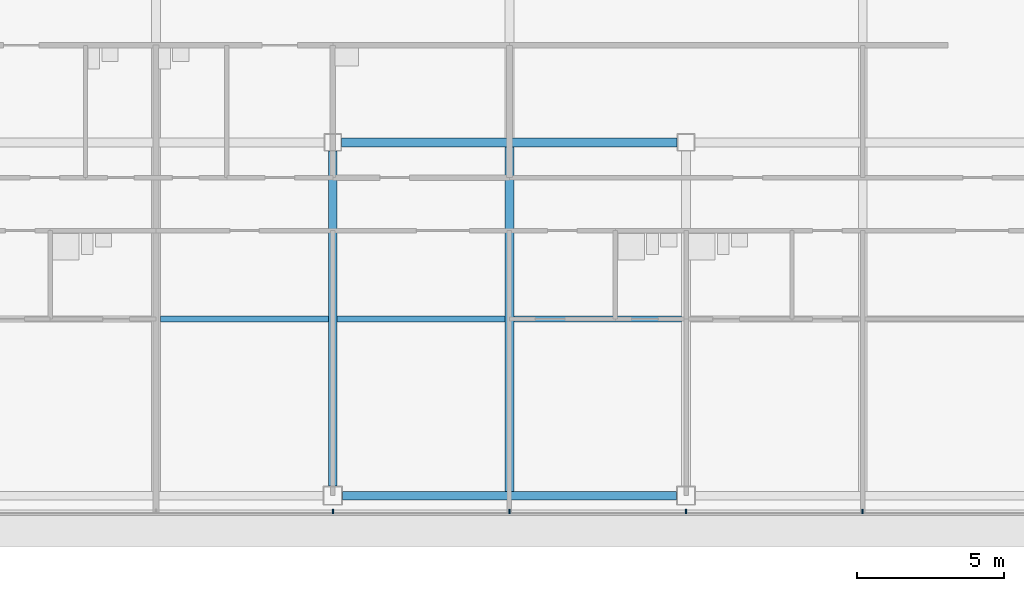
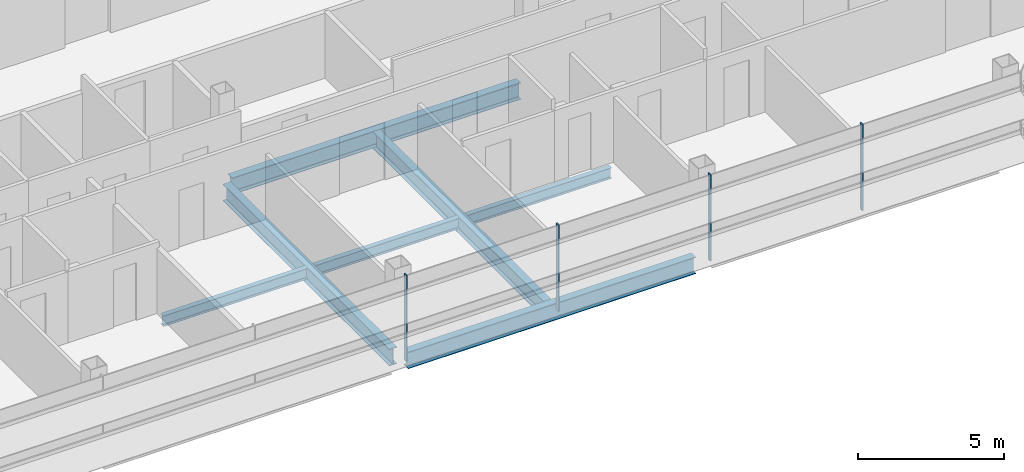
# One storey, part 8 of 27: 7 beams, 4 members, 1 element without a shape of its own.
"""IFC4 building model written with IfcOpenShell, lengths in metres."""

from ifc_helpers import new_model, si_unit, direction, frame, origin, origin_2d, place, context, subcontext, project, spatial, rectangle, i_section, extrude, material, material_profile, profile_set, type_object, element, aggregate, save


model = new_model("IFC4")

# Units and contexts
model_context = context("Model", 3, precision=1e-05, world=origin(), true_north=direction((0.0, 1.0)))
body_context = subcontext(model_context, "Body", "Model", "MODEL_VIEW")
ifc_project = project(units=[si_unit("LENGTHUNIT", "METRE"), si_unit("AREAUNIT", "SQUARE_METRE"), si_unit("VOLUMEUNIT", "CUBIC_METRE"), si_unit("PLANEANGLEUNIT", "RADIAN"), si_unit("MASSUNIT", "GRAM", prefix="KILO")], contexts=[model_context])

# Site, building, storey
site_placement = place(None, origin())
site = spatial("IfcSite", under=ifc_project, at=site_placement, CompositionType="ELEMENT")
building_placement = place(site_placement, origin())
building = spatial("IfcBuilding", under=site, at=building_placement, Name="Sorahane Residences", CompositionType="ELEMENT")
storey_placement = place(building_placement, frame((0.0, 0.0, 202.800048828125)))
storey = spatial("IfcBuildingStorey", under=building, at=storey_placement, Name="L47", CompositionType="ELEMENT", Elevation=202.800048828125)

# Curtain wall, members
ifc_material_1 = material(Name="Dark low-e glass and black anodised aluminium", Category="aluminium")
curtain_wall_type = type_object("IfcCurtainWallType", Name="Curtain wall CW-1 Typical unitised wall", PredefinedType="NOTDEFINED", material=ifc_material_1)
curtain_wall_placement = place(storey_placement, origin())
curtain_wall = element("IfcCurtainWall", 1, at=curtain_wall_placement, inside=storey, type_object=curtain_wall_type, Name="CW-1 curtain wall L47 S1", PredefinedType="NOTDEFINED")
ifc_material_2 = material(Name="Black anodised aluminium", Category="aluminium")
ifc_material_profile_1 = material_profile(ifc_material_2, rectangle(XDim=0.159912109375, YDim=0.050048828125, at=origin_2d()), Name="Curtain wall mullion CW-1 black anodised aluminium 50x160")
ifc_profile_set_1 = profile_set([ifc_material_profile_1], Name="Black anodised aluminium")
member_type = type_object("IfcMemberType", Name="Curtain wall mullion CW-1 black anodised aluminium 50x160", PredefinedType="MULLION", material=ifc_profile_set_1)
member_1_placement = place(storey_placement, frame((24.0, -0.5400390625, -0.179931640625), z_axis=(0.0, 0.0, 1.0), x_axis=(0.0, -1.0, 0.0)))
member_1 = element("IfcMember", 2, at=member_1_placement, type_object=member_type, Name="CW-1 mullion L47 S1.6", PredefinedType="MULLION", context=body_context, shape_type="SweptSolid", body=[
    extrude(rectangle(XDim=0.159912109375, YDim=0.050048828125, at=origin_2d()), origin(), (0.0, 0.0, 1.0), 3.599853515625),
])
member_2_placement = place(storey_placement, frame((30.0, -0.5400390625, -0.179931640625), z_axis=(0.0, 0.0, 1.0), x_axis=(0.0, -1.0, 0.0)))
member_2 = element("IfcMember", 3, at=member_2_placement, type_object=member_type, Name="CW-1 mullion L47 S1.7", PredefinedType="MULLION", context=body_context, shape_type="SweptSolid", body=[
    extrude(rectangle(XDim=0.159912109375, YDim=0.050048828125, at=origin_2d()), origin(), (0.0, 0.0, 1.0), 3.599853515625),
])
member_3_placement = place(storey_placement, frame((36.0, -0.5400390625, -0.179931640625), z_axis=(0.0, 0.0, 1.0), x_axis=(0.0, -1.0, 0.0)))
member_3 = element("IfcMember", 4, at=member_3_placement, type_object=member_type, Name="CW-1 mullion L47 S1.8", PredefinedType="MULLION", context=body_context, shape_type="SweptSolid", body=[
    extrude(rectangle(XDim=0.159912109375, YDim=0.050048828125, at=origin_2d()), origin(), (0.0, 0.0, 1.0), 3.599853515625),
])
member_4_placement = place(storey_placement, frame((42.0, -0.5400390625, -0.179931640625), z_axis=(0.0, 0.0, 1.0), x_axis=(0.0, -1.0, 0.0)))
member_4 = element("IfcMember", 5, at=member_4_placement, type_object=member_type, Name="CW-1 mullion L47 S1.9", PredefinedType="MULLION", context=body_context, shape_type="SweptSolid", body=[
    extrude(rectangle(XDim=0.159912109375, YDim=0.050048828125, at=origin_2d()), origin(), (0.0, 0.0, 1.0), 3.599853515625),
])
aggregate(curtain_wall, [member_1, member_2, member_3, member_4])

# Beams
ifc_material_3 = material(Name="Steel Q355B", Category="steel")
ifc_material_profile_2 = material_profile(ifc_material_3, i_section(OverallWidth=0.199951171875, OverallDepth=0.449951171875, WebThickness=0.009033203125, FlangeThickness=0.013916015625, FilletRadius=0.02001953125, at=origin_2d()), Name="HN 450x200x9x14")
ifc_profile_set_2 = profile_set([ifc_material_profile_2], Name="Steel Q355B")
beam_type_1 = type_object("IfcBeamType", Name="Steel floor beam HN 450x200x9x14 Q355B", PredefinedType="BEAM", material=ifc_profile_set_2)
for number, where, z_axis, x_axis, name in (
    (6, (18.14990234375, 6.0, -0.405029296875), (1.0, 0.0, 0.0), (0.0, 1.0, 0.0), "Beam L47 072"),
    (7, (24.14990234375, 6.0, -0.405029296875), (1.0, 0.0, 0.0), (0.0, 1.0, 0.0), "Beam L47 073"),
    (8, (30.14990234375, 6.0, -0.405029296875), (1.0, 0.0, 0.0), (0.0, 1.0, 0.0), "Beam L47 074"),
):
    element("IfcBeam", number, at=place(storey_placement, frame(where, z_axis=z_axis, x_axis=x_axis)), inside=storey, type_object=beam_type_1, Name=name, PredefinedType="BEAM", context=body_context, shape_type="SweptSolid", body=[
        extrude(i_section(OverallWidth=0.199951171875, OverallDepth=0.449951171875, WebThickness=0.009033203125, FlangeThickness=0.013916015625, FilletRadius=0.02001953125, at=origin_2d()), origin(), (0.0, 0.0, 1.0), 5.7001953125),
    ])
ifc_material_4 = material(Name="Steel Q355B", Category="steel")
ifc_material_profile_3 = material_profile(ifc_material_4, i_section(OverallWidth=0.300048828125, OverallDepth=0.699951171875, WebThickness=0.012939453125, FlangeThickness=0.02392578125, FilletRadius=0.028076171875, at=origin_2d()), Name="HN 700x300x13x24")
ifc_profile_set_3 = profile_set([ifc_material_profile_3], Name="Steel Q355B")
beam_type_2 = type_object("IfcBeamType", Name="Steel floor beam HN 700x300x13x24 Q355B", PredefinedType="BEAM", material=ifc_profile_set_3)
beam_1_placement = place(storey_placement, frame((24.324951171875, 0.0, -0.530029296875), z_axis=(1.0, 0.0, 0.0), x_axis=(0.0, 1.0, 0.0)))
element("IfcBeam", 9, at=beam_1_placement, inside=storey, type_object=beam_type_2, Name="Beam L47 003", PredefinedType="BEAM", context=body_context, shape_type="SweptSolid", body=[
    extrude(i_section(OverallWidth=0.300048828125, OverallDepth=0.699951171875, WebThickness=0.012939453125, FlangeThickness=0.02392578125, FilletRadius=0.028076171875, at=origin_2d()), origin(), (0.0, 0.0, 1.0), 11.35009765625),
])
beam_2_placement = place(storey_placement, frame((24.300048828125, 12.0, -0.530029296875), z_axis=(1.0, 0.0, 0.0), x_axis=(0.0, 1.0, 0.0)))
element("IfcBeam", 10, at=beam_2_placement, inside=storey, type_object=beam_type_2, Name="Beam L47 008", PredefinedType="BEAM", context=body_context, shape_type="SweptSolid", body=[
    extrude(i_section(OverallWidth=0.300048828125, OverallDepth=0.699951171875, WebThickness=0.012939453125, FlangeThickness=0.02392578125, FilletRadius=0.028076171875, at=origin_2d()), origin(), (0.0, 0.0, 1.0), 11.39990234375),
])
beam_3_placement = place(storey_placement, frame((24.0, 0.324951171875, -0.530029296875), z_axis=(0.0, 1.0, 0.0), x_axis=(-1.0, 0.0, 0.0)))
element("IfcBeam", 11, at=beam_3_placement, inside=storey, type_object=beam_type_2, Name="Beam L47 042", PredefinedType="BEAM", context=body_context, shape_type="SweptSolid", body=[
    extrude(i_section(OverallWidth=0.300048828125, OverallDepth=0.699951171875, WebThickness=0.012939453125, FlangeThickness=0.02392578125, FilletRadius=0.028076171875, at=origin_2d()), origin(), (0.0, 0.0, 1.0), 11.375),
])
beam_4_placement = place(storey_placement, frame((30.0, 0.14990234375, -0.530029296875), z_axis=(0.0, 1.0, 0.0), x_axis=(-1.0, 0.0, 0.0)))
element("IfcBeam", 12, at=beam_4_placement, inside=storey, type_object=beam_type_2, Name="Beam L47 044", PredefinedType="BEAM", context=body_context, shape_type="SweptSolid", body=[
    extrude(i_section(OverallWidth=0.300048828125, OverallDepth=0.699951171875, WebThickness=0.012939453125, FlangeThickness=0.02392578125, FilletRadius=0.028076171875, at=origin_2d()), origin(), (0.0, 0.0, 1.0), 11.7001953125),
])

save(model, "model.ifc")
